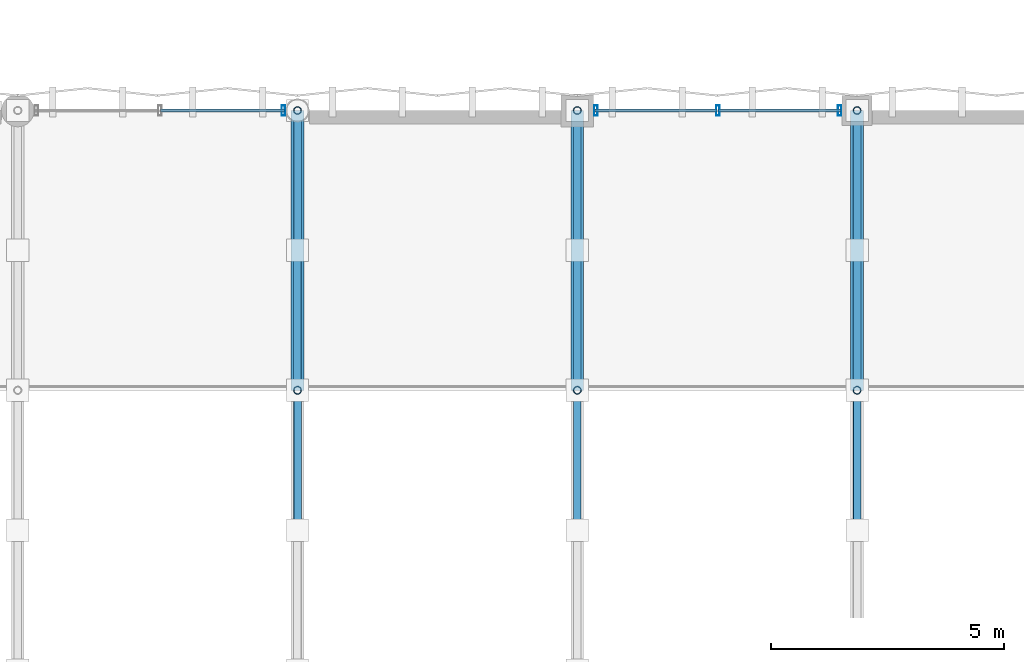
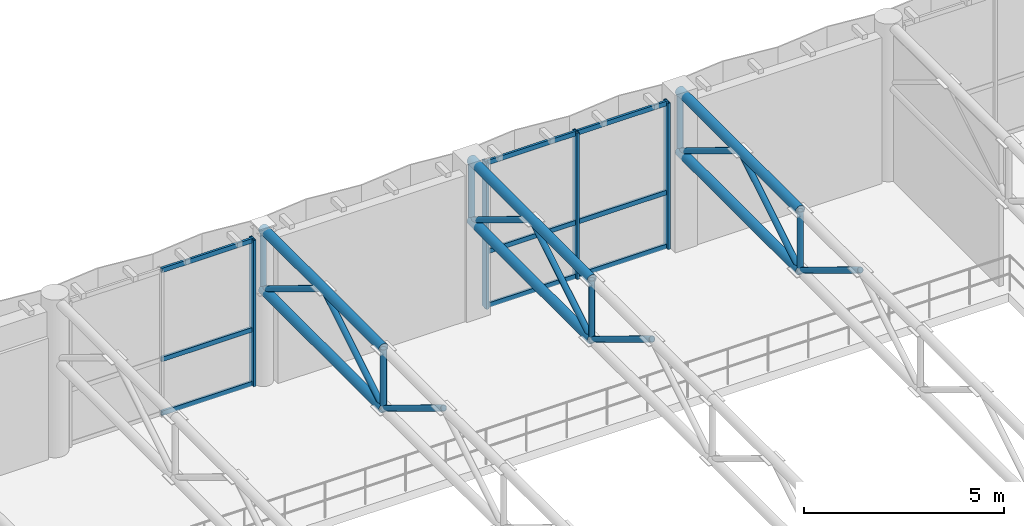
# One storey, part 44 of 123: 34 members, 2 elements without a shape of their own.
"""IFC4 building model written with IfcOpenShell, lengths in metres."""

from ifc_helpers import new_model, si_unit, direction, frame, origin, origin_2d, place, context, subcontext, project, spatial, hollow_rectangle, hollow_circle, extrude, material, material_profile, profile_set, type_object, element, aggregate, save


model = new_model("IFC4")

# Units and contexts
model_context = context("Model", 3, precision=1e-05, world=origin(), true_north=direction((0.0, 1.0)))
body_context = subcontext(model_context, "Body", "Model", "MODEL_VIEW")
ifc_project = project(units=[si_unit("LENGTHUNIT", "METRE"), si_unit("AREAUNIT", "SQUARE_METRE"), si_unit("VOLUMEUNIT", "CUBIC_METRE"), si_unit("PLANEANGLEUNIT", "RADIAN"), si_unit("MASSUNIT", "GRAM", prefix="KILO"), si_unit("THERMODYNAMICTEMPERATUREUNIT", "KELVIN"), si_unit("POWERUNIT", "WATT")], contexts=[model_context])

# Site, building, storey
site_placement = place(None, origin())
site = spatial("IfcSite", under=ifc_project, at=site_placement, CompositionType="ELEMENT")
building_placement = place(site_placement, origin())
building = spatial("IfcBuilding", under=site, at=building_placement, Name="Phaisarnlok Congress Hotel", CompositionType="ELEMENT")
storey_placement = place(building_placement, frame((0.0, 0.0, 15.0)))
storey = spatial("IfcBuildingStorey", under=building, at=storey_placement, Name="L03", CompositionType="ELEMENT", Elevation=15.0)

# Curtain wall, members
ifc_material_1 = material(Name="Thermally Broken Unitised Aluminium & Low-E Glazing", Category="aluminium")
curtain_wall_type_1 = type_object("IfcCurtainWallType", Name="CW-UNIT-29", PredefinedType="NOTDEFINED", material=ifc_material_1)
curtain_wall_1_placement = place(storey_placement, origin())
curtain_wall_1 = element("IfcCurtainWall", 1, at=curtain_wall_1_placement, inside=storey, type_object=curtain_wall_type_1, Name="Unitised curtain wall CW-29 (L03)", PredefinedType="NOTDEFINED")
ifc_material_2 = material(Name="Anodised Aluminium Alloy 6063-T6", Category="aluminium")
ifc_material_profile_1 = material_profile(ifc_material_2, hollow_rectangle(XDim=0.074951171875, YDim=0.219970703125, WallThickness=0.0048828125, at=origin_2d()), Name="ALU-M 75x220x5")
ifc_profile_set_1 = profile_set([ifc_material_profile_1], Name="Anodised Aluminium Alloy 6063-T6")
member_type_1 = type_object("IfcMemberType", Name="CWM-220", PredefinedType="MULLION", material=ifc_profile_set_1)
member_1_placement = place(storey_placement, frame((29.625, 120.0, 0.0), z_axis=(0.0, 0.0, 1.0), x_axis=(-1.0, 0.0, 0.0)))
member_1 = element("IfcMember", 2, at=member_1_placement, type_object=member_type_1, Name="Curtain wall mullion CWM-02", PredefinedType="MULLION", context=body_context, shape_type="SweptSolid", body=[
    extrude(hollow_rectangle(XDim=0.074951171875, YDim=0.219970703125, WallThickness=0.0048828125, at=origin_2d()), origin(), (0.0, 0.0, 1.0), 4.449951171875),
])
member_2_placement = place(storey_placement, frame((27.012451171875, 120.0, 0.0), z_axis=(0.0, 0.0, 1.0), x_axis=(-1.0, 0.0, 0.0)))
member_2 = element("IfcMember", 3, at=member_2_placement, type_object=member_type_1, Name="Curtain wall mullion CWM-02", PredefinedType="MULLION", context=body_context, shape_type="SweptSolid", body=[
    extrude(hollow_rectangle(XDim=0.074951171875, YDim=0.219970703125, WallThickness=0.0048828125, at=origin_2d()), origin(), (0.0, 0.0, 1.0), 4.449951171875),
])
member_3_placement = place(storey_placement, frame((24.39990234375, 120.0, 0.0), z_axis=(0.0, 0.0, 1.0), x_axis=(-1.0, 0.0, 0.0)))
member_3 = element("IfcMember", 4, at=member_3_placement, type_object=member_type_1, Name="Curtain wall mullion CWM-02", PredefinedType="MULLION", context=body_context, shape_type="SweptSolid", body=[
    extrude(hollow_rectangle(XDim=0.074951171875, YDim=0.219970703125, WallThickness=0.0048828125, at=origin_2d()), origin(), (0.0, 0.0, 1.0), 4.449951171875),
])

# Curtain wall, member
curtain_wall_type_2 = type_object("IfcCurtainWallType", Name="CW-UNIT-28", PredefinedType="NOTDEFINED", material=ifc_material_1)
curtain_wall_2_placement = place(storey_placement, origin())
curtain_wall_2 = element("IfcCurtainWall", 5, at=curtain_wall_2_placement, inside=storey, type_object=curtain_wall_type_2, Name="Unitised curtain wall CW-28 (L03)", PredefinedType="NOTDEFINED")
member_4_placement = place(storey_placement, frame((17.696044921875, 120.0, 0.0), z_axis=(0.0, 0.0, 1.0), x_axis=(-1.0, 0.0, 0.0)))
member_4 = element("IfcMember", 6, at=member_4_placement, type_object=member_type_1, Name="Curtain wall mullion CWM-02", PredefinedType="MULLION", context=body_context, shape_type="SweptSolid", body=[
    extrude(hollow_rectangle(XDim=0.074951171875, YDim=0.219970703125, WallThickness=0.0048828125, at=origin_2d()), origin(), (0.0, 0.0, 1.0), 4.449951171875),
])

# Member
ifc_material_profile_2 = material_profile(ifc_material_2, hollow_rectangle(XDim=0.06494140625, YDim=0.139892578125, WallThickness=0.00390625, at=origin_2d()), Name="ALU-T 65x140x4")
ifc_profile_set_2 = profile_set([ifc_material_profile_2], Name="Anodised Aluminium Alloy 6063-T6")
member_type_2 = type_object("IfcMemberType", Name="CWT-150", PredefinedType="USERDEFINED", material=ifc_profile_set_2)
member_5_placement = place(storey_placement, frame((29.64990234375, 120.0, 0.050048828125), z_axis=(-1.0, 0.0, 0.0), x_axis=(0.0, -1.0, 0.0)))
member_5 = element("IfcMember", 7, at=member_5_placement, type_object=member_type_2, Name="Curtain wall transom CWT-01", ObjectType="TRANSOM", PredefinedType="USERDEFINED", context=body_context, shape_type="SweptSolid", body=[
    extrude(hollow_rectangle(XDim=0.06494140625, YDim=0.139892578125, WallThickness=0.00390625, at=origin_2d()), origin(), (0.0, 0.0, 1.0), 2.622314453125),
])

member_6_placement = place(storey_placement, frame((29.64990234375, 120.0, 1.69091796875), z_axis=(-1.0, 0.0, 0.0), x_axis=(0.0, -1.0, 0.0)))
member_6 = element("IfcMember", 8, at=member_6_placement, type_object=member_type_2, Name="Curtain wall transom CWT-01", ObjectType="TRANSOM", PredefinedType="USERDEFINED", context=body_context, shape_type="SweptSolid", body=[
    extrude(hollow_rectangle(XDim=0.06494140625, YDim=0.139892578125, WallThickness=0.00390625, at=origin_2d()), origin(), (0.0, 0.0, 1.0), 2.622314453125),
])

member_7_placement = place(storey_placement, frame((29.64990234375, 120.0, 4.39990234375), z_axis=(-1.0, 0.0, 0.0), x_axis=(0.0, -1.0, 0.0)))
member_7 = element("IfcMember", 9, at=member_7_placement, type_object=member_type_2, Name="Curtain wall transom CWT-01", ObjectType="TRANSOM", PredefinedType="USERDEFINED", context=body_context, shape_type="SweptSolid", body=[
    extrude(hollow_rectangle(XDim=0.06494140625, YDim=0.139892578125, WallThickness=0.00390625, at=origin_2d()), origin(), (0.0, 0.0, 1.0), 2.622314453125),
])

member_8_placement = place(storey_placement, frame((26.99755859375, 120.0, 0.050048828125), z_axis=(-1.0, 0.0, 0.0), x_axis=(0.0, -1.0, 0.0)))
member_8 = element("IfcMember", 10, at=member_8_placement, type_object=member_type_2, Name="Curtain wall transom CWT-01", ObjectType="TRANSOM", PredefinedType="USERDEFINED", context=body_context, shape_type="SweptSolid", body=[
    extrude(hollow_rectangle(XDim=0.06494140625, YDim=0.139892578125, WallThickness=0.00390625, at=origin_2d()), origin(), (0.0, 0.0, 1.0), 2.62255859375),
])

member_9_placement = place(storey_placement, frame((26.99755859375, 120.0, 1.69091796875), z_axis=(-1.0, 0.0, 0.0), x_axis=(0.0, -1.0, 0.0)))
member_9 = element("IfcMember", 11, at=member_9_placement, type_object=member_type_2, Name="Curtain wall transom CWT-01", ObjectType="TRANSOM", PredefinedType="USERDEFINED", context=body_context, shape_type="SweptSolid", body=[
    extrude(hollow_rectangle(XDim=0.06494140625, YDim=0.139892578125, WallThickness=0.00390625, at=origin_2d()), origin(), (0.0, 0.0, 1.0), 2.62255859375),
])

member_10_placement = place(storey_placement, frame((26.99755859375, 120.0, 4.39990234375), z_axis=(-1.0, 0.0, 0.0), x_axis=(0.0, -1.0, 0.0)))
member_10 = element("IfcMember", 12, at=member_10_placement, type_object=member_type_2, Name="Curtain wall transom CWT-01", ObjectType="TRANSOM", PredefinedType="USERDEFINED", context=body_context, shape_type="SweptSolid", body=[
    extrude(hollow_rectangle(XDim=0.06494140625, YDim=0.139892578125, WallThickness=0.00390625, at=origin_2d()), origin(), (0.0, 0.0, 1.0), 2.62255859375),
])

aggregate(curtain_wall_1, [member_1, member_2, member_3, member_5, member_6, member_7, member_8, member_9, member_10])

member_11_placement = place(storey_placement, frame((17.720947265625, 120.0, 0.050048828125), z_axis=(-1.0, 0.0, 0.0), x_axis=(0.0, -1.0, 0.0)))
member_11 = element("IfcMember", 13, at=member_11_placement, type_object=member_type_2, Name="Curtain wall transom CWT-01", ObjectType="TRANSOM", PredefinedType="USERDEFINED", context=body_context, shape_type="SweptSolid", body=[
    extrude(hollow_rectangle(XDim=0.06494140625, YDim=0.139892578125, WallThickness=0.00390625, at=origin_2d()), origin(), (0.0, 0.0, 1.0), 2.657958984375),
])

member_12_placement = place(storey_placement, frame((17.720947265625, 120.0, 1.69091796875), z_axis=(-1.0, 0.0, 0.0), x_axis=(0.0, -1.0, 0.0)))
member_12 = element("IfcMember", 14, at=member_12_placement, type_object=member_type_2, Name="Curtain wall transom CWT-01", ObjectType="TRANSOM", PredefinedType="USERDEFINED", context=body_context, shape_type="SweptSolid", body=[
    extrude(hollow_rectangle(XDim=0.06494140625, YDim=0.139892578125, WallThickness=0.00390625, at=origin_2d()), origin(), (0.0, 0.0, 1.0), 2.657958984375),
])

member_13_placement = place(storey_placement, frame((17.720947265625, 120.0, 4.39990234375), z_axis=(-1.0, 0.0, 0.0), x_axis=(0.0, -1.0, 0.0)))
member_13 = element("IfcMember", 15, at=member_13_placement, type_object=member_type_2, Name="Curtain wall transom CWT-01", ObjectType="TRANSOM", PredefinedType="USERDEFINED", context=body_context, shape_type="SweptSolid", body=[
    extrude(hollow_rectangle(XDim=0.06494140625, YDim=0.139892578125, WallThickness=0.00390625, at=origin_2d()), origin(), (0.0, 0.0, 1.0), 2.657958984375),
])

aggregate(curtain_wall_2, [member_4, member_11, member_12, member_13])

# Members
ifc_material_3 = material(Name="Steel S355", Category="steel")
ifc_material_profile_3 = material_profile(ifc_material_3, hollow_circle(Radius=0.084228515625, WallThickness=0.010009765625, at=origin_2d()), Name="CHS 168.3x10")
ifc_profile_set_3 = profile_set([ifc_material_profile_3], Name="Steel S355")
member_type_3 = type_object("IfcMemberType", Name="MEM-BRC-CHS168", PredefinedType="BRACE", material=ifc_profile_set_3)
member_14_placement = place(storey_placement, frame((18.0, 114.0, 2.800048828125), z_axis=(0.0, -0.853724612577, 0.520724769797), x_axis=(1.0, 0.0, 0.0)))
element("IfcMember", 16, at=member_14_placement, inside=storey, type_object=member_type_3, Name="Spa pavilion truss diagonal TB-01", PredefinedType="BRACE", context=body_context, shape_type="SweptSolid", body=[
    extrude(hollow_circle(Radius=0.084228515625, WallThickness=0.010009765625, at=origin_2d()), origin(), (0.0, 0.0, 1.0), 3.513916015625),
])
member_15_placement = place(storey_placement, frame((18.0, 114.0, 2.800048828125), z_axis=(0.0, 0.0, 1.0), x_axis=(1.0, 0.0, 0.0)))
element("IfcMember", 17, at=member_15_placement, inside=storey, type_object=member_type_3, Name="Spa pavilion truss vertical TB-01", PredefinedType="BRACE", context=body_context, shape_type="SweptSolid", body=[
    extrude(hollow_circle(Radius=0.084228515625, WallThickness=0.010009765625, at=origin_2d()), origin(), (0.0, 0.0, 1.0), 1.829833984375),
])
for number, where, z_axis, x_axis, name in (
    (18, (18.0, 114.0, 2.800048828125), (0.0, 0.853724612577, 0.520724769797), (-1.0, 0.0, 0.0), "Spa pavilion truss diagonal TB-01"),
    (19, (18.0, 120.0, 2.800048828125), (0.0, -0.853724612577, 0.520724769797), (1.0, 0.0, 0.0), "Spa pavilion truss diagonal TB-01"),
):
    element("IfcMember", number, at=place(storey_placement, frame(where, z_axis=z_axis, x_axis=x_axis)), inside=storey, type_object=member_type_3, Name=name, PredefinedType="BRACE", context=body_context, shape_type="SweptSolid", body=[
        extrude(hollow_circle(Radius=0.084228515625, WallThickness=0.010009765625, at=origin_2d()), origin(), (0.0, 0.0, 1.0), 3.513916015625),
    ])
member_16_placement = place(storey_placement, frame((18.0, 120.0, 2.800048828125), z_axis=(0.0, 0.0, 1.0), x_axis=(1.0, 0.0, 0.0)))
element("IfcMember", 20, at=member_16_placement, inside=storey, type_object=member_type_3, Name="Spa pavilion truss vertical TB-01", PredefinedType="BRACE", context=body_context, shape_type="SweptSolid", body=[
    extrude(hollow_circle(Radius=0.084228515625, WallThickness=0.010009765625, at=origin_2d()), origin(), (0.0, 0.0, 1.0), 1.829833984375),
])
member_17_placement = place(storey_placement, frame((24.0, 114.0, 2.800048828125), z_axis=(0.0, -0.853724612577, 0.520724769797), x_axis=(1.0, 0.0, 0.0)))
element("IfcMember", 21, at=member_17_placement, inside=storey, type_object=member_type_3, Name="Spa pavilion truss diagonal TB-01", PredefinedType="BRACE", context=body_context, shape_type="SweptSolid", body=[
    extrude(hollow_circle(Radius=0.084228515625, WallThickness=0.010009765625, at=origin_2d()), origin(), (0.0, 0.0, 1.0), 3.513916015625),
])
member_18_placement = place(storey_placement, frame((24.0, 114.0, 2.800048828125), z_axis=(0.0, 0.0, 1.0), x_axis=(1.0, 0.0, 0.0)))
element("IfcMember", 22, at=member_18_placement, inside=storey, type_object=member_type_3, Name="Spa pavilion truss vertical TB-01", PredefinedType="BRACE", context=body_context, shape_type="SweptSolid", body=[
    extrude(hollow_circle(Radius=0.084228515625, WallThickness=0.010009765625, at=origin_2d()), origin(), (0.0, 0.0, 1.0), 1.829833984375),
])
for number, where, z_axis, x_axis, name in (
    (23, (24.0, 114.0, 2.800048828125), (0.0, 0.853724612577, 0.520724769797), (-1.0, 0.0, 0.0), "Spa pavilion truss diagonal TB-01"),
    (24, (24.0, 120.0, 2.800048828125), (0.0, -0.853724612577, 0.520724769797), (1.0, 0.0, 0.0), "Spa pavilion truss diagonal TB-01"),
):
    element("IfcMember", number, at=place(storey_placement, frame(where, z_axis=z_axis, x_axis=x_axis)), inside=storey, type_object=member_type_3, Name=name, PredefinedType="BRACE", context=body_context, shape_type="SweptSolid", body=[
        extrude(hollow_circle(Radius=0.084228515625, WallThickness=0.010009765625, at=origin_2d()), origin(), (0.0, 0.0, 1.0), 3.513916015625),
    ])
member_19_placement = place(storey_placement, frame((24.0, 120.0, 2.800048828125), z_axis=(0.0, 0.0, 1.0), x_axis=(1.0, 0.0, 0.0)))
element("IfcMember", 25, at=member_19_placement, inside=storey, type_object=member_type_3, Name="Spa pavilion truss vertical TB-01", PredefinedType="BRACE", context=body_context, shape_type="SweptSolid", body=[
    extrude(hollow_circle(Radius=0.084228515625, WallThickness=0.010009765625, at=origin_2d()), origin(), (0.0, 0.0, 1.0), 1.829833984375),
])
member_20_placement = place(storey_placement, frame((30.0, 114.0, 2.800048828125), z_axis=(0.0, -0.853724612577, 0.520724769797), x_axis=(1.0, 0.0, 0.0)))
element("IfcMember", 26, at=member_20_placement, inside=storey, type_object=member_type_3, Name="Spa pavilion truss diagonal TB-01", PredefinedType="BRACE", context=body_context, shape_type="SweptSolid", body=[
    extrude(hollow_circle(Radius=0.084228515625, WallThickness=0.010009765625, at=origin_2d()), origin(), (0.0, 0.0, 1.0), 3.513916015625),
])
member_21_placement = place(storey_placement, frame((30.0, 114.0, 2.800048828125), z_axis=(0.0, 0.0, 1.0), x_axis=(1.0, 0.0, 0.0)))
element("IfcMember", 27, at=member_21_placement, inside=storey, type_object=member_type_3, Name="Spa pavilion truss vertical TB-01", PredefinedType="BRACE", context=body_context, shape_type="SweptSolid", body=[
    extrude(hollow_circle(Radius=0.084228515625, WallThickness=0.010009765625, at=origin_2d()), origin(), (0.0, 0.0, 1.0), 1.829833984375),
])
for number, where, z_axis, x_axis, name in (
    (28, (30.0, 114.0, 2.800048828125), (0.0, 0.853724612577, 0.520724769797), (-1.0, 0.0, 0.0), "Spa pavilion truss diagonal TB-01"),
    (29, (30.0, 120.0, 2.800048828125), (0.0, -0.853724612577, 0.520724769797), (1.0, 0.0, 0.0), "Spa pavilion truss diagonal TB-01"),
):
    element("IfcMember", number, at=place(storey_placement, frame(where, z_axis=z_axis, x_axis=x_axis)), inside=storey, type_object=member_type_3, Name=name, PredefinedType="BRACE", context=body_context, shape_type="SweptSolid", body=[
        extrude(hollow_circle(Radius=0.084228515625, WallThickness=0.010009765625, at=origin_2d()), origin(), (0.0, 0.0, 1.0), 3.513916015625),
    ])
member_22_placement = place(storey_placement, frame((30.0, 120.0, 2.800048828125), z_axis=(0.0, 0.0, 1.0), x_axis=(1.0, 0.0, 0.0)))
element("IfcMember", 30, at=member_22_placement, inside=storey, type_object=member_type_3, Name="Spa pavilion truss vertical TB-01", PredefinedType="BRACE", context=body_context, shape_type="SweptSolid", body=[
    extrude(hollow_circle(Radius=0.084228515625, WallThickness=0.010009765625, at=origin_2d()), origin(), (0.0, 0.0, 1.0), 1.829833984375),
])
ifc_material_profile_4 = material_profile(ifc_material_3, hollow_circle(Radius=0.136474609375, WallThickness=0.01611328125, at=origin_2d()), Name="CHS 273x16")
ifc_profile_set_4 = profile_set([ifc_material_profile_4], Name="Steel S355")
member_type_4 = type_object("IfcMemberType", Name="MEM-CHD-CHS273", PredefinedType="CHORD", material=ifc_profile_set_4)
for number, where, z_axis, x_axis, name in (
    (31, (18.0, 114.0, 4.6298828125), (0.0, 1.0, 0.0), (-1.0, 0.0, 0.0), "Spa pavilion truss top chord TC-03"),
    (32, (18.0, 114.0, 2.800048828125), (0.0, 1.0, 0.0), (-1.0, 0.0, 0.0), "Spa pavilion truss bottom chord TC-03"),
    (33, (24.0, 114.0, 4.6298828125), (0.0, 1.0, 0.0), (-1.0, 0.0, 0.0), "Spa pavilion truss top chord TC-03"),
    (34, (24.0, 114.0, 2.800048828125), (0.0, 1.0, 0.0), (-1.0, 0.0, 0.0), "Spa pavilion truss bottom chord TC-03"),
    (35, (30.0, 114.0, 4.6298828125), (0.0, 1.0, 0.0), (-1.0, 0.0, 0.0), "Spa pavilion truss top chord TC-03"),
    (36, (30.0, 114.0, 2.800048828125), (0.0, 1.0, 0.0), (-1.0, 0.0, 0.0), "Spa pavilion truss bottom chord TC-03"),
):
    element("IfcMember", number, at=place(storey_placement, frame(where, z_axis=z_axis, x_axis=x_axis)), inside=storey, type_object=member_type_4, Name=name, PredefinedType="CHORD", context=body_context, shape_type="SweptSolid", body=[
        extrude(hollow_circle(Radius=0.136474609375, WallThickness=0.01611328125, at=origin_2d()), origin(), (0.0, 0.0, 1.0), 6.0),
    ])

save(model, "model.ifc")
